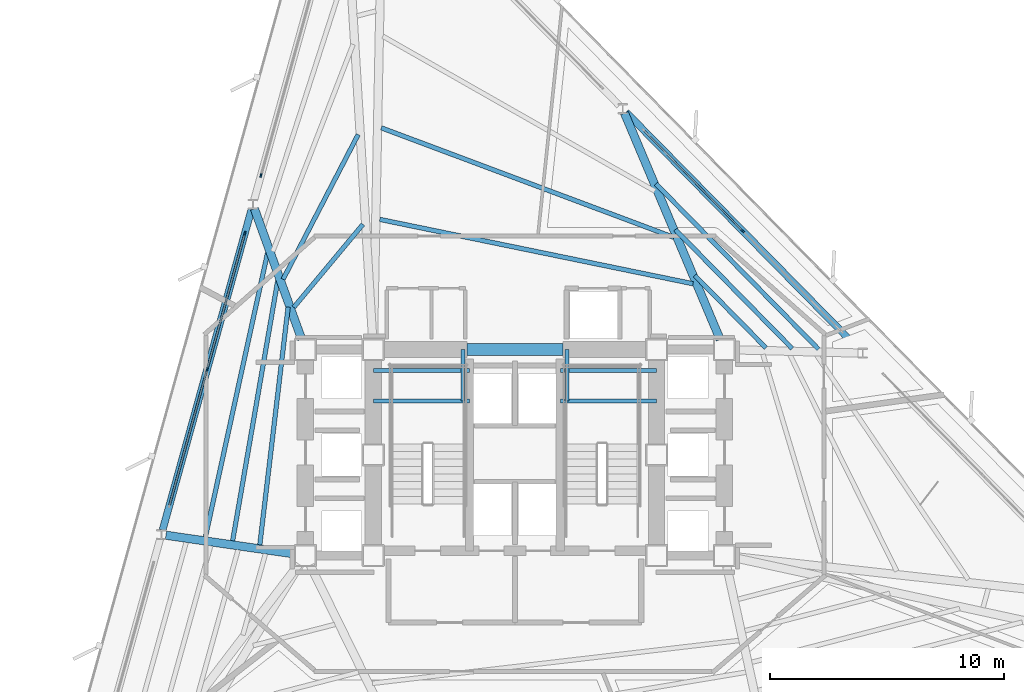
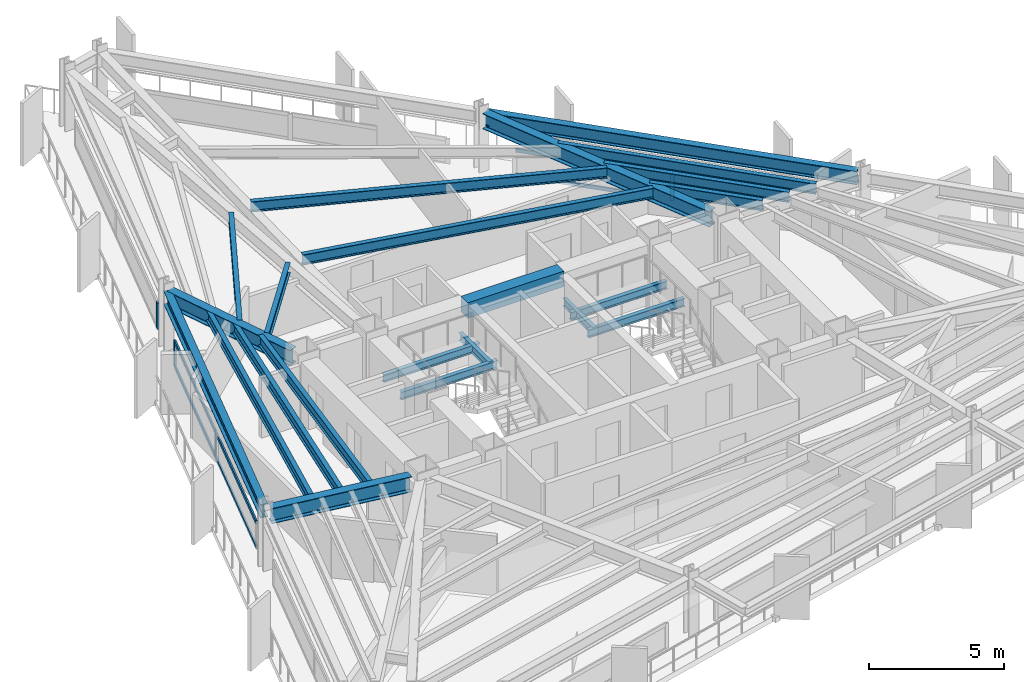
# One storey, part 3 of 11: 22 beams, 10 members, 3 elements without a shape of their own.
"""IFC4 building model written with IfcOpenShell, lengths in metres."""

from ifc_helpers import new_model, si_unit, direction, frame, origin, origin_2d, place, context, subcontext, project, spatial, rectangle, i_section, extrude, material, layer, layer_set, material_profile, profile_set, type_object, element, aggregate, save


model = new_model("IFC4")

# Units and contexts
model_context = context("Model", 3, precision=1e-05, world=origin(), true_north=direction((0.0, 1.0)))
body_context = subcontext(model_context, "Body", "Model", "MODEL_VIEW")
ifc_project = project(units=[si_unit("LENGTHUNIT", "METRE"), si_unit("AREAUNIT", "SQUARE_METRE"), si_unit("VOLUMEUNIT", "CUBIC_METRE"), si_unit("PLANEANGLEUNIT", "RADIAN"), si_unit("MASSUNIT", "GRAM", prefix="KILO")], contexts=[model_context])

# Site, building, storey
site_placement = place(None, origin())
site = spatial("IfcSite", under=ifc_project, at=site_placement, CompositionType="ELEMENT")
building_placement = place(site_placement, origin())
building = spatial("IfcBuilding", under=site, at=building_placement, Name="Rocaltana Carrier Exchange", CompositionType="ELEMENT")
storey_placement = place(building_placement, frame((0.0, 0.0, 97.760009765625)))
storey = spatial("IfcBuildingStorey", under=building, at=storey_placement, Name="L30", CompositionType="ELEMENT", Elevation=97.760009765625)

# Curtain wall, member
ifc_material_1 = material(Name="Aluminium 6063-T6", Category="aluminium")
ifc_layer = layer(ifc_material_1, 0.1650390625)
ifc_layer_set = layer_set([ifc_layer], Name="Aluminium 6063-T6")
curtain_wall_type = type_object("IfcCurtainWallType", Name="Lower-Mid Stepped Curtain Wall CW-02", PredefinedType="NOTDEFINED", material=ifc_layer_set)
curtain_wall_1_placement = place(storey_placement, origin())
curtain_wall_1 = element("IfcCurtainWall", 1, at=curtain_wall_1_placement, inside=storey, type_object=curtain_wall_type, Name="L30 CW-02 Run CW-L30-F1S2", PredefinedType="NOTDEFINED")
ifc_material_2 = material(Name="Aluminium 6063-T6", Category="aluminium")
ifc_material_profile_1 = material_profile(ifc_material_2, rectangle(XDim=0.06494140625, YDim=0.1650390625, at=origin_2d()), Name="AL-65X165")
ifc_profile_set_1 = profile_set([ifc_material_profile_1], Name="Aluminium 6063-T6")
member_type_1 = type_object("IfcMemberType", Name="CW-02 Mullion AL-65X165", PredefinedType="MULLION", material=ifc_profile_set_1)
member_1_placement = place(storey_placement, frame((9.732666015625, 9.564453125, 0.0), z_axis=(0.0, 0.0, 1.0), x_axis=(-0.713244696676, -0.700915118017, 0.0)))
member_1 = element("IfcMember", 2, at=member_1_placement, type_object=member_type_1, Name="CW-02 mullion 2", PredefinedType="MULLION", context=body_context, shape_type="SweptSolid", body=[
    extrude(rectangle(XDim=0.06494140625, YDim=0.1650390625, at=origin_2d()), origin(), (0.0, 0.0, 1.0), 1.177978515625),
])

curtain_wall_2_placement = place(storey_placement, origin())
curtain_wall_2 = element("IfcCurtainWall", 3, at=curtain_wall_2_placement, inside=storey, type_object=curtain_wall_type, Name="L30 CW-02 Run CW-L30-F2S1", PredefinedType="NOTDEFINED")
member_2_placement = place(storey_placement, frame((-10.851318359375, 11.93310546875, 0.0), z_axis=(0.0, 0.0, 1.0), x_axis=(0.96362846453, -0.267245546918, 0.0)))
member_2 = element("IfcMember", 4, at=member_2_placement, type_object=member_type_1, Name="CW-02 mullion 3", PredefinedType="MULLION", context=body_context, shape_type="SweptSolid", body=[
    extrude(rectangle(XDim=0.06494140625, YDim=0.1650390625, at=origin_2d()), origin(), (0.0, 0.0, 1.0), 1.177978515625),
])
aggregate(curtain_wall_2, [member_2])

# Curtain wall, members
curtain_wall_3_placement = place(storey_placement, origin())
curtain_wall_3 = element("IfcCurtainWall", 5, at=curtain_wall_3_placement, inside=storey, type_object=curtain_wall_type, Name="L30 CW-02 Run CW-L30-F2S2", PredefinedType="NOTDEFINED")
member_3_placement = place(storey_placement, frame((-11.536865234375, 9.46142578125, 0.0), z_axis=(0.0, 0.0, 1.0), x_axis=(0.963630586954, -0.267237893807, 0.0)))
member_3 = element("IfcMember", 6, at=member_3_placement, type_object=member_type_1, Name="CW-02 mullion 1", PredefinedType="MULLION", context=body_context, shape_type="SweptSolid", body=[
    extrude(rectangle(XDim=0.06494140625, YDim=0.1650390625, at=origin_2d()), origin(), (0.0, 0.0, 1.0), 1.177978515625),
])
member_4_placement = place(storey_placement, frame((-13.1494140625, 3.646728515625, 0.0), z_axis=(0.0, 0.0, 1.0), x_axis=(0.963630586954, -0.267237893807, 0.0)))
member_4 = element("IfcMember", 7, at=member_4_placement, type_object=member_type_1, Name="CW-02 mullion 2", PredefinedType="MULLION", context=body_context, shape_type="SweptSolid", body=[
    extrude(rectangle(XDim=0.06494140625, YDim=0.1650390625, at=origin_2d()), origin(), (0.0, 0.0, 1.0), 1.177978515625),
])

# Member
ifc_material_3 = material(Name="Aluminium 6063-T6", Category="aluminium")
ifc_material_profile_2 = material_profile(ifc_material_3, rectangle(XDim=0.06494140625, YDim=0.1650390625, at=origin_2d()), Name="AL-65X165")
ifc_profile_set_2 = profile_set([ifc_material_profile_2], Name="Aluminium 6063-T6")
member_type_2 = type_object("IfcMemberType", Name="CW-02 Transom AL-65X165", PredefinedType="USERDEFINED", material=ifc_profile_set_2)
member_5_placement = place(storey_placement, frame((9.7099609375, 9.587646484375, 0.032470703125), z_axis=(-0.700924352217, 0.713235621985, 0.0), x_axis=(-0.713235621985, -0.700924352217, 0.0)))
member_5 = element("IfcMember", 8, at=member_5_placement, type_object=member_type_2, Name="CW-02 transom 2.1", ObjectType="TRANSOM", PredefinedType="USERDEFINED", context=body_context, shape_type="SweptSolid", body=[
    extrude(rectangle(XDim=0.06494140625, YDim=0.1650390625, at=origin_2d()), origin(), (0.0, 0.0, 1.0), 5.968994140625),
])

member_6_placement = place(storey_placement, frame((9.7099609375, 9.587646484375, 1.1455078125), z_axis=(-0.700924352217, 0.713235621985, 0.0), x_axis=(-0.713235621985, -0.700924352217, 0.0)))
member_6 = element("IfcMember", 9, at=member_6_placement, type_object=member_type_2, Name="CW-02 transom 2.2", ObjectType="TRANSOM", PredefinedType="USERDEFINED", context=body_context, shape_type="SweptSolid", body=[
    extrude(rectangle(XDim=0.06494140625, YDim=0.1650390625, at=origin_2d()), origin(), (0.0, 0.0, 1.0), 5.968994140625),
])

aggregate(curtain_wall_1, [member_1, member_5, member_6])

member_7_placement = place(storey_placement, frame((-11.54541015625, 9.43017578125, 0.032470703125), z_axis=(-0.267236720875, -0.963630912235, 0.0), x_axis=(0.963630912235, -0.267236720875, 0.0)))
member_7 = element("IfcMember", 10, at=member_7_placement, type_object=member_type_2, Name="CW-02 transom 1.1", ObjectType="TRANSOM", PredefinedType="USERDEFINED", context=body_context, shape_type="SweptSolid", body=[
    extrude(rectangle(XDim=0.06494140625, YDim=0.1650390625, at=origin_2d()), origin(), (0.0, 0.0, 1.0), 5.96923828125),
])

member_8_placement = place(storey_placement, frame((-11.54541015625, 9.43017578125, 1.1455078125), z_axis=(-0.267236720875, -0.963630912235, 0.0), x_axis=(0.963630912235, -0.267236720875, 0.0)))
member_8 = element("IfcMember", 11, at=member_8_placement, type_object=member_type_2, Name="CW-02 transom 1.2", ObjectType="TRANSOM", PredefinedType="USERDEFINED", context=body_context, shape_type="SweptSolid", body=[
    extrude(rectangle(XDim=0.06494140625, YDim=0.1650390625, at=origin_2d()), origin(), (0.0, 0.0, 1.0), 5.96923828125),
])

member_9_placement = place(storey_placement, frame((-13.157958984375, 3.615234375, 0.032470703125), z_axis=(-0.26724725359, -0.963627991213, 0.0), x_axis=(0.963627991213, -0.26724725359, 0.0)))
member_9 = element("IfcMember", 12, at=member_9_placement, type_object=member_type_2, Name="CW-02 transom 2.1", ObjectType="TRANSOM", PredefinedType="USERDEFINED", context=body_context, shape_type="SweptSolid", body=[
    extrude(rectangle(XDim=0.06494140625, YDim=0.1650390625, at=origin_2d()), origin(), (0.0, 0.0, 1.0), 5.968994140625),
])

member_10_placement = place(storey_placement, frame((-13.157958984375, 3.615234375, 1.1455078125), z_axis=(-0.26724725359, -0.963627991213, 0.0), x_axis=(0.963627991213, -0.26724725359, 0.0)))
member_10 = element("IfcMember", 13, at=member_10_placement, type_object=member_type_2, Name="CW-02 transom 2.2", ObjectType="TRANSOM", PredefinedType="USERDEFINED", context=body_context, shape_type="SweptSolid", body=[
    extrude(rectangle(XDim=0.06494140625, YDim=0.1650390625, at=origin_2d()), origin(), (0.0, 0.0, 1.0), 5.968994140625),
])

aggregate(curtain_wall_3, [member_3, member_4, member_7, member_8, member_9, member_10])

# Beams
ifc_material_4 = material(Name="Concrete C60/75", Category="concrete")
ifc_material_profile_3 = material_profile(ifc_material_4, rectangle(XDim=0.5, YDim=0.699951171875, at=origin_2d()), Name="RC-BM-500X700")
ifc_profile_set_3 = profile_set([ifc_material_profile_3], Name="Concrete C60/75")
beam_type_1 = type_object("IfcBeamType", Name="Core Coupling Lintel 500x700", PredefinedType="LINTEL", material=ifc_profile_set_3)
beam_1_placement = place(storey_placement, frame((-2.050048828125, 4.5, 2.367919921875), z_axis=(1.0, 0.0, 0.0), x_axis=(0.0, 1.0, 0.0)))
element("IfcBeam", 14, at=beam_1_placement, inside=storey, type_object=beam_type_1, Name="L30 Core Coupling Lintel CL-N", PredefinedType="LINTEL", context=body_context, shape_type="SweptSolid", body=[
    extrude(rectangle(XDim=0.5, YDim=0.699951171875, at=origin_2d()), origin(), (0.0, 0.0, 1.0), 4.10009765625),
])
ifc_material_5 = material(Name="Steel S355", Category="steel")
ifc_material_profile_4 = material_profile(ifc_material_5, i_section(OverallWidth=0.172119140625, OverallDepth=0.35791015625, WebThickness=0.0078125, FlangeThickness=0.01318359375, FilletRadius=0.011962890625, at=origin_2d()), Name="W14X38")
ifc_profile_set_4 = profile_set([ifc_material_profile_4], Name="Steel S355")
beam_type_2 = type_object("IfcBeamType", Name="Floor Joist W14X38", PredefinedType="JOIST", material=ifc_profile_set_4)
for number, where, z_axis, x_axis, name in (
    (15, (-6.050048828125, 2.300048828125, 1.140869140625), (1.0, 0.0, 0.0), (0.0, 1.0, 0.0), "L30 ST-1 Landing Carrier 1"),
    (16, (1.93994140625, 2.300048828125, 1.140869140625), (1.0, 0.0, 0.0), (0.0, 1.0, 0.0), "L30 ST-2 Landing Carrier 1"),
    (17, (-6.050048828125, 3.60009765625, 1.140869140625), (1.0, 0.0, 0.0), (0.0, 1.0, 0.0), "L30 ST-1 Landing Carrier 2"),
    (18, (1.93994140625, 3.60009765625, 1.140869140625), (1.0, 0.0, 0.0), (0.0, 1.0, 0.0), "L30 ST-2 Landing Carrier 2"),
):
    element("IfcBeam", number, at=place(storey_placement, frame(where, z_axis=z_axis, x_axis=x_axis)), inside=storey, type_object=beam_type_2, Name=name, PredefinedType="JOIST", context=body_context, shape_type="SweptSolid", body=[
        extrude(i_section(OverallWidth=0.172119140625, OverallDepth=0.35791015625, WebThickness=0.0078125, FlangeThickness=0.01318359375, FilletRadius=0.011962890625, at=origin_2d()), origin(), (0.0, 0.0, 1.0), 4.110107421875),
    ])
for number, where, z_axis, x_axis, name in (
    (19, (-2.219970703125, 2.300048828125, 1.140869140625), (0.0, 1.0, 0.0), (-1.0, 0.0, 0.0), "L30 ST-1 Landing Cross Trimmer"),
    (20, (2.219970703125, 2.300048828125, 1.140869140625), (0.0, 1.0, 0.0), (-1.0, 0.0, 0.0), "L30 ST-2 Landing Cross Trimmer"),
):
    element("IfcBeam", number, at=place(storey_placement, frame(where, z_axis=z_axis, x_axis=x_axis)), inside=storey, type_object=beam_type_2, Name=name, PredefinedType="JOIST", context=body_context, shape_type="SweptSolid", body=[
        extrude(i_section(OverallWidth=0.172119140625, OverallDepth=0.35791015625, WebThickness=0.0078125, FlangeThickness=0.01318359375, FilletRadius=0.011962890625, at=origin_2d()), origin(), (0.0, 0.0, 1.0), 2.199951171875),
    ])
ifc_material_6 = material(Name="Steel S355", Category="steel")
ifc_material_profile_5 = material_profile(ifc_material_6, i_section(OverallWidth=0.193115234375, OverallDepth=0.466064453125, WebThickness=0.011474609375, FlangeThickness=0.01904296875, FilletRadius=0.013916015625, at=origin_2d()), Name="W18X65")
ifc_profile_set_5 = profile_set([ifc_material_profile_5], Name="Steel S355")
beam_type_3 = type_object("IfcBeamType", Name="Floor Joist W18X65", PredefinedType="JOIST", material=ifc_profile_set_5)
beam_2_placement = place(storey_placement, frame((10.72119140625, 4.572998046875, 2.485107421875), z_axis=(-0.700891063864, 0.713268334216, 0.0), x_axis=(-0.713268334216, -0.700891063864, 0.0)))
element("IfcBeam", 21, at=beam_2_placement, inside=storey, type_object=beam_type_3, Name="FJ-L30-02-1", PredefinedType="JOIST", context=body_context, shape_type="SweptSolid", body=[
    extrude(i_section(OverallWidth=0.193115234375, OverallDepth=0.466064453125, WebThickness=0.011474609375, FlangeThickness=0.01904296875, FilletRadius=0.013916015625, at=origin_2d()), origin(), (0.0, 0.0, 1.0), 4.339599609375),
])
beam_3_placement = place(storey_placement, frame((11.844482421875, 4.543701171875, 2.485107421875), z_axis=(-0.700907768136, 0.713251919427, 0.0), x_axis=(-0.713251919427, -0.700907768136, 0.0)))
element("IfcBeam", 22, at=beam_3_placement, inside=storey, type_object=beam_type_3, Name="FJ-L30-02-2", PredefinedType="JOIST", context=body_context, shape_type="SweptSolid", body=[
    extrude(i_section(OverallWidth=0.193115234375, OverallDepth=0.466064453125, WebThickness=0.011474609375, FlangeThickness=0.01904296875, FilletRadius=0.013916015625, at=origin_2d()), origin(), (0.0, 0.0, 1.0), 7.1201171875),
])
beam_4_placement = place(storey_placement, frame((12.967529296875, 4.514404296875, 2.485107421875), z_axis=(-0.700914872746, 0.713244937706, 0.0), x_axis=(-0.713244937706, -0.700914872746, 0.0)))
element("IfcBeam", 23, at=beam_4_placement, inside=storey, type_object=beam_type_3, Name="FJ-L30-02-3", PredefinedType="JOIST", context=body_context, shape_type="SweptSolid", body=[
    extrude(i_section(OverallWidth=0.193115234375, OverallDepth=0.466064453125, WebThickness=0.011474609375, FlangeThickness=0.01904296875, FilletRadius=0.013916015625, at=origin_2d()), origin(), (0.0, 0.0, 1.0), 9.900146484375),
])
beam_5_placement = place(storey_placement, frame((7.608642578125, 7.310791015625, 2.485107421875), z_axis=(-0.979548911699, 0.201206186758, 0.0), x_axis=(-0.201206186758, -0.979548911699, 0.0)))
element("IfcBeam", 24, at=beam_5_placement, inside=storey, type_object=beam_type_3, Name="FJ-L30-03-1", PredefinedType="JOIST", context=body_context, shape_type="SweptSolid", body=[
    extrude(i_section(OverallWidth=0.193115234375, OverallDepth=0.466064453125, WebThickness=0.011474609375, FlangeThickness=0.01904296875, FilletRadius=0.013916015625, at=origin_2d()), origin(), (0.0, 0.0, 1.0), 13.66259765625),
])
beam_6_placement = place(storey_placement, frame((6.790283203125, 9.290283203125, 2.485107421875), z_axis=(-0.936459936045, 0.35077455464, 0.0), x_axis=(-0.35077455464, -0.936459936045, 0.0)))
element("IfcBeam", 25, at=beam_6_placement, inside=storey, type_object=beam_type_3, Name="FJ-L30-03-2", PredefinedType="JOIST", context=body_context, shape_type="SweptSolid", body=[
    extrude(i_section(OverallWidth=0.193115234375, OverallDepth=0.466064453125, WebThickness=0.011474609375, FlangeThickness=0.01904296875, FilletRadius=0.013916015625, at=origin_2d()), origin(), (0.0, 0.0, 1.0), 13.344482421875),
])
beam_7_placement = place(storey_placement, frame((-6.492919921875, 9.848876953125, 2.485107421875), z_axis=(-0.640163577039, -0.768238631307, 0.0), x_axis=(0.768238631307, -0.640163577039, 0.0)))
element("IfcBeam", 26, at=beam_7_placement, inside=storey, type_object=beam_type_3, Name="FJ-L30-05-1", PredefinedType="JOIST", context=body_context, shape_type="SweptSolid", body=[
    extrude(i_section(OverallWidth=0.193115234375, OverallDepth=0.466064453125, WebThickness=0.011474609375, FlangeThickness=0.01904296875, FilletRadius=0.013916015625, at=origin_2d()), origin(), (0.0, 0.0, 1.0), 4.613037109375),
])
beam_8_placement = place(storey_placement, frame((-6.6962890625, 13.68505859375, 2.485107421875), z_axis=(-0.46048496637, -0.887667502924, 0.0), x_axis=(0.887667502924, -0.46048496637, 0.0)))
element("IfcBeam", 27, at=beam_8_placement, inside=storey, type_object=beam_type_3, Name="FJ-L30-05-2", PredefinedType="JOIST", context=body_context, shape_type="SweptSolid", body=[
    extrude(i_section(OverallWidth=0.193115234375, OverallDepth=0.466064453125, WebThickness=0.011474609375, FlangeThickness=0.01904296875, FilletRadius=0.013916015625, at=origin_2d()), origin(), (0.0, 0.0, 1.0), 6.96435546875),
])
beam_9_placement = place(storey_placement, frame((-9.6884765625, 6.312744140625, 2.485107421875), z_axis=(-0.118374284941, -0.992969047184, 0.0), x_axis=(0.992969047184, -0.118374284941, 0.0)))
element("IfcBeam", 28, at=beam_9_placement, inside=storey, type_object=beam_type_3, Name="FJ-L30-06-1", PredefinedType="JOIST", context=body_context, shape_type="SweptSolid", body=[
    extrude(i_section(OverallWidth=0.193115234375, OverallDepth=0.466064453125, WebThickness=0.011474609375, FlangeThickness=0.01904296875, FilletRadius=0.013916015625, at=origin_2d()), origin(), (0.0, 0.0, 1.0), 10.227783203125),
])
beam_10_placement = place(storey_placement, frame((-10.123779296875, 7.49169921875, 2.485107421875), z_axis=(-0.170820187973, -0.985302219312, 0.0), x_axis=(0.985302219312, -0.170820187973, 0.0)))
element("IfcBeam", 29, at=beam_10_placement, inside=storey, type_object=beam_type_3, Name="FJ-L30-06-2", PredefinedType="JOIST", context=body_context, shape_type="SweptSolid", body=[
    extrude(i_section(OverallWidth=0.193115234375, OverallDepth=0.466064453125, WebThickness=0.011474609375, FlangeThickness=0.01904296875, FilletRadius=0.013916015625, at=origin_2d()), origin(), (0.0, 0.0, 1.0), 11.332275390625),
])
beam_11_placement = place(storey_placement, frame((-10.5576171875, 8.67041015625, 2.485107421875), z_axis=(-0.213747702255, -0.976888898381, 0.0), x_axis=(0.976888898381, -0.213747702255, 0.0)))
element("IfcBeam", 30, at=beam_11_placement, inside=storey, type_object=beam_type_3, Name="FJ-L30-06-3", PredefinedType="JOIST", context=body_context, shape_type="SweptSolid", body=[
    extrude(i_section(OverallWidth=0.193115234375, OverallDepth=0.466064453125, WebThickness=0.011474609375, FlangeThickness=0.01904296875, FilletRadius=0.013916015625, at=origin_2d()), origin(), (0.0, 0.0, 1.0), 12.463623046875),
])
ifc_material_7 = material(Name="Steel S355", Category="steel")
ifc_material_profile_6 = material_profile(ifc_material_7, i_section(OverallWidth=0.35498046875, OverallDepth=0.695068359375, WebThickness=0.015380859375, FlangeThickness=0.02490234375, FilletRadius=0.01806640625, at=origin_2d()), Name="W27X146")
ifc_profile_set_6 = profile_set([ifc_material_profile_6], Name="Steel S355")
beam_type_4 = type_object("IfcBeamType", Name="Radial Girder W27X146", PredefinedType="BEAM", material=ifc_profile_set_6)
beam_12_placement = place(storey_placement, frame((8.768310546875, 4.93017578125, 2.37060546875), z_axis=(-0.389283409267, 0.921118031128, 0.0), x_axis=(-0.921118031128, -0.389283409267, 0.0)))
element("IfcBeam", 31, at=beam_12_placement, inside=storey, type_object=beam_type_4, Name="RG-L30-03", PredefinedType="BEAM", context=body_context, shape_type="SweptSolid", body=[
    extrude(i_section(OverallWidth=0.35498046875, OverallDepth=0.695068359375, WebThickness=0.015380859375, FlangeThickness=0.02490234375, FilletRadius=0.01806640625, at=origin_2d()), origin(), (0.0, 0.0, 1.0), 10.49853515625),
])
beam_13_placement = place(storey_placement, frame((-9.10888671875, 4.939208984375, 2.37060546875), z_axis=(-0.340508906611, 0.940241290584, 0.0), x_axis=(-0.940241290584, -0.340508906611, 0.0)))
element("IfcBeam", 32, at=beam_13_placement, inside=storey, type_object=beam_type_4, Name="RG-L30-06", PredefinedType="BEAM", context=body_context, shape_type="SweptSolid", body=[
    extrude(i_section(OverallWidth=0.35498046875, OverallDepth=0.695068359375, WebThickness=0.015380859375, FlangeThickness=0.02490234375, FilletRadius=0.01806640625, at=origin_2d()), origin(), (0.0, 0.0, 1.0), 5.92578125),
])
beam_14_placement = place(storey_placement, frame((-9.412109375, -4.232666015625, 2.37060546875), z_axis=(-0.989566167389, 0.144079146162, 0.0), x_axis=(-0.144079146162, -0.989566167389, 0.0)))
element("IfcBeam", 33, at=beam_14_placement, inside=storey, type_object=beam_type_4, Name="RG-L30-07", PredefinedType="BEAM", context=body_context, shape_type="SweptSolid", body=[
    extrude(i_section(OverallWidth=0.35498046875, OverallDepth=0.695068359375, WebThickness=0.015380859375, FlangeThickness=0.02490234375, FilletRadius=0.01806640625, at=origin_2d()), origin(), (0.0, 0.0, 1.0), 5.554443359375),
])
ifc_material_8 = material(Name="Steel S355", Category="steel")
ifc_material_profile_7 = material_profile(ifc_material_8, i_section(OverallWidth=0.300048828125, OverallDepth=0.60009765625, WebThickness=0.015380859375, FlangeThickness=0.030029296875, FilletRadius=0.027099609375, at=origin_2d()), Name="HEB600")
ifc_profile_set_7 = profile_set([ifc_material_profile_7], Name="Steel S355")
beam_type_5 = type_object("IfcBeamType", Name="Spandrel Edge Beam HEB600", PredefinedType="SPANDREL", material=ifc_profile_set_7)
beam_15_placement = place(storey_placement, frame((14.722412109375, 4.48681640625, 2.41796875), z_axis=(-0.700906711307, 0.713252957965, 0.0), x_axis=(-0.713252957965, -0.700906711307, 0.0)))
element("IfcBeam", 34, at=beam_15_placement, inside=storey, type_object=beam_type_5, Name="SP-L30-02", PredefinedType="SPANDREL", context=body_context, shape_type="SweptSolid", body=[
    extrude(i_section(OverallWidth=0.300048828125, OverallDepth=0.60009765625, WebThickness=0.015380859375, FlangeThickness=0.030029296875, FilletRadius=0.027099609375, at=origin_2d()), origin(), (0.0, 0.0, 1.0), 14.237548828125),
])
beam_16_placement = place(storey_placement, frame((-11.2470703125, 10.50634765625, 2.41796875), z_axis=(-0.267234351395, -0.963631569343, 0.0), x_axis=(0.963631569343, -0.267234351395, 0.0)))
element("IfcBeam", 35, at=beam_16_placement, inside=storey, type_object=beam_type_5, Name="SP-L30-06", PredefinedType="SPANDREL", context=body_context, shape_type="SweptSolid", body=[
    extrude(i_section(OverallWidth=0.300048828125, OverallDepth=0.60009765625, WebThickness=0.015380859375, FlangeThickness=0.030029296875, FilletRadius=0.027099609375, at=origin_2d()), origin(), (0.0, 0.0, 1.0), 14.2373046875),
])

save(model, "model.ifc")
